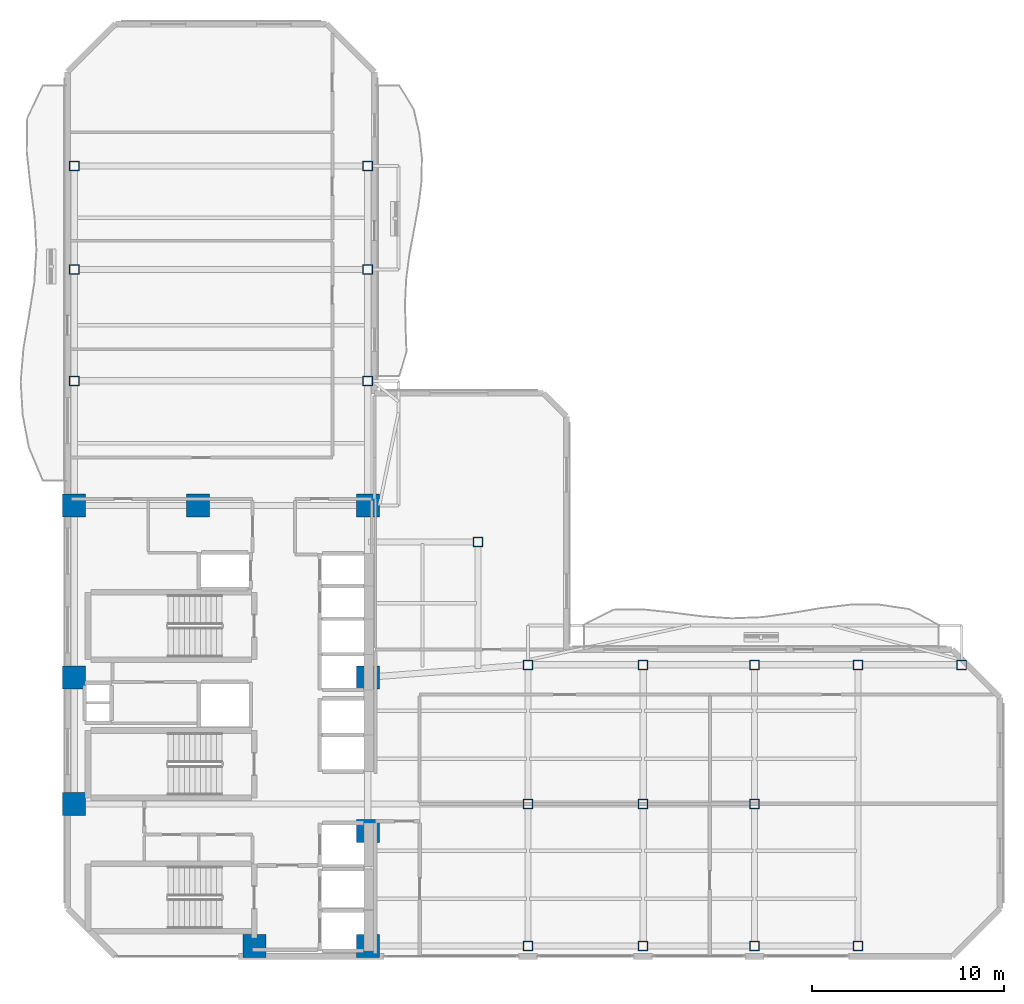
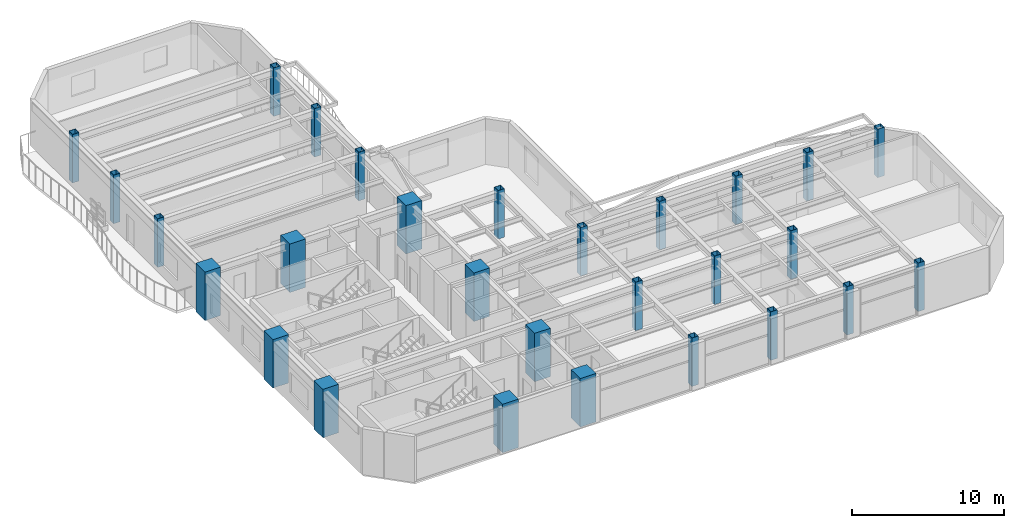
# One storey, part 1 of 15: 28 columns.
"""IFC4 building model written with IfcOpenShell, lengths in metres."""

from ifc_helpers import new_model, si_unit, direction, frame, origin, origin_2d, place, context, subcontext, project, spatial, rectangle, hollow_rectangle, extrude, material, material_profile, profile_set, type_object, element, save


model = new_model("IFC4")

# Units and contexts
model_context = context("Model", 3, precision=1e-05, world=origin(), true_north=direction((0.0, 1.0)))
body_context = subcontext(model_context, "Body", "Model", "MODEL_VIEW")
ifc_project = project(units=[si_unit("LENGTHUNIT", "METRE"), si_unit("AREAUNIT", "SQUARE_METRE"), si_unit("VOLUMEUNIT", "CUBIC_METRE"), si_unit("PLANEANGLEUNIT", "RADIAN"), si_unit("MASSUNIT", "GRAM", prefix="KILO")], contexts=[model_context])

# Site, building, storey
site_placement = place(None, origin())
site = spatial("IfcSite", under=ifc_project, at=site_placement, CompositionType="ELEMENT")
building_placement = place(site_placement, origin())
building = spatial("IfcBuilding", under=site, at=building_placement, Name="Mawjaban Terraces University", CompositionType="ELEMENT")
storey_placement = place(building_placement, frame((0.0, 0.0, 119.0)))
storey = spatial("IfcBuildingStorey", under=building, at=storey_placement, Name="L28", CompositionType="ELEMENT", Elevation=119.0)

# Columns
ifc_material_1 = material(Name="Concrete C60/75", Category="concrete")
ifc_material_profile_1 = material_profile(ifc_material_1, rectangle(XDim=1.199951171875, YDim=1.199951171875, at=origin_2d()), Name="RC1200X1200")
ifc_profile_set_1 = profile_set([ifc_material_profile_1], Name="Concrete C60/75")
column_type_1 = type_object("IfcColumnType", Name="Col_RC1200X1200", PredefinedType="COLUMN", material=ifc_profile_set_1)
for number, where, z_axis, x_axis, name in (
    (1, (31.75, 0.550048828125, 0.0), (0.0, 0.0, 1.0), (1.0, 0.0, 0.0), "L28 Column CC2"),
    (2, (37.64990234375, 0.550048828125, 0.0), (0.0, 0.0, 1.0), (1.0, 0.0, 0.0), "L28 Column CC3"),
    (3, (22.35009765625, 7.949951171875, 0.0), (0.0, 0.0, 1.0), (1.0, 0.0, 0.0), "L28 Column CC4"),
    (4, (37.64990234375, 6.550048828125, 0.0), (0.0, 0.0, 1.0), (1.0, 0.0, 0.0), "L28 Column CC5"),
    (5, (22.35009765625, 14.550048828125, 0.0), (0.0, 0.0, 1.0), (1.0, 0.0, 0.0), "L28 Column CC6"),
    (6, (37.64990234375, 14.550048828125, 0.0), (0.0, 0.0, 1.0), (1.0, 0.0, 0.0), "L28 Column CC7"),
    (7, (22.35009765625, 23.5, 0.0), (0.0, 0.0, 1.0), (1.0, 0.0, 0.0), "L28 Column CC8"),
    (8, (28.800048828125, 23.5, 0.0), (0.0, 0.0, 1.0), (1.0, 0.0, 0.0), "L28 Column CC9"),
    (9, (37.64990234375, 23.5, 0.0), (0.0, 0.0, 1.0), (1.0, 0.0, 0.0), "L28 Column CC10"),
):
    element("IfcColumn", number, at=place(storey_placement, frame(where, z_axis=z_axis, x_axis=x_axis)), inside=storey, type_object=column_type_1, Name=name, PredefinedType="COLUMN", context=body_context, shape_type="SweptSolid", body=[
        extrude(rectangle(XDim=1.199951171875, YDim=1.199951171875, at=origin_2d()), origin(), (0.0, 0.0, 1.0), 3.89990234375),
    ])
ifc_material_2 = material(Name="Steel EN 10210-1 S355J2H", Category="steel")
ifc_material_profile_2 = material_profile(ifc_material_2, hollow_rectangle(XDim=0.5, YDim=0.5, WallThickness=0.02490234375, at=origin_2d()), Name="SHS500X500X25")
ifc_profile_set_2 = profile_set([ifc_material_profile_2], Name="Steel EN 10210-1 S355J2H")
column_type_2 = type_object("IfcColumnType", Name="Col_SHS500X500X25", PredefinedType="COLUMN", material=ifc_profile_set_2)
for number, where, z_axis, x_axis, name in (
    (10, (46.0, 0.550048828125, 0.0), (0.0, 0.0, 1.0), (1.0, 0.0, 0.0), "L28 Column TE-460-005"),
    (11, (46.0, 7.949951171875, 0.0), (0.0, 0.0, 1.0), (1.0, 0.0, 0.0), "L28 Column TE-460-080"),
    (12, (46.0, 15.199951171875, 0.0), (0.0, 0.0, 1.0), (1.0, 0.0, 0.0), "L28 Column TE-460-152"),
    (13, (52.0, 0.550048828125, 0.0), (0.0, 0.0, 1.0), (1.0, 0.0, 0.0), "L28 Column TE-520-005"),
    (14, (52.0, 7.949951171875, 0.0), (0.0, 0.0, 1.0), (1.0, 0.0, 0.0), "L28 Column TE-520-080"),
    (15, (52.0, 15.199951171875, 0.0), (0.0, 0.0, 1.0), (1.0, 0.0, 0.0), "L28 Column TE-520-152"),
    (16, (57.800048828125, 0.550048828125, 0.0), (0.0, 0.0, 1.0), (1.0, 0.0, 0.0), "L28 Column TE-578-005"),
    (17, (57.800048828125, 7.949951171875, 0.0), (0.0, 0.0, 1.0), (1.0, 0.0, 0.0), "L28 Column TE-578-080"),
    (18, (57.800048828125, 15.199951171875, 0.0), (0.0, 0.0, 1.0), (1.0, 0.0, 0.0), "L28 Column TE-578-152"),
    (19, (63.199951171875, 0.550048828125, 0.0), (0.0, 0.0, 1.0), (1.0, 0.0, 0.0), "L28 Column TE-632-005"),
    (20, (63.199951171875, 15.199951171875, 0.0), (0.0, 0.0, 1.0), (1.0, 0.0, 0.0), "L28 Column TE-632-152"),
    (21, (68.60009765625, 15.199951171875, 0.0), (0.0, 0.0, 1.0), (1.0, 0.0, 0.0), "L28 Column TE-686-152"),
    (22, (22.35009765625, 30.0, 0.0), (0.0, 0.0, 1.0), (1.0, 0.0, 0.0), "L28 Column TN-223-300"),
    (23, (37.64990234375, 30.0, 0.0), (0.0, 0.0, 1.0), (1.0, 0.0, 0.0), "L28 Column TN-376-300"),
    (24, (22.35009765625, 35.800048828125, 0.0), (0.0, 0.0, 1.0), (1.0, 0.0, 0.0), "L28 Column TN-223-358"),
    (25, (37.64990234375, 35.800048828125, 0.0), (0.0, 0.0, 1.0), (1.0, 0.0, 0.0), "L28 Column TN-376-358"),
    (26, (22.35009765625, 41.199951171875, 0.0), (0.0, 0.0, 1.0), (1.0, 0.0, 0.0), "L28 Column TN-223-412"),
    (27, (37.64990234375, 41.199951171875, 0.0), (0.0, 0.0, 1.0), (1.0, 0.0, 0.0), "L28 Column TN-376-412"),
    (28, (43.39990234375, 21.60009765625, 0.0), (0.0, 0.0, 1.0), (1.0, 0.0, 0.0), "L28 Column TS-434-216"),
):
    element("IfcColumn", number, at=place(storey_placement, frame(where, z_axis=z_axis, x_axis=x_axis)), inside=storey, type_object=column_type_2, Name=name, PredefinedType="COLUMN", context=body_context, shape_type="SweptSolid", body=[
        extrude(hollow_rectangle(XDim=0.5, YDim=0.5, WallThickness=0.02490234375, at=origin_2d()), origin(), (0.0, 0.0, 1.0), 3.89990234375),
    ])

save(model, "model.ifc")
